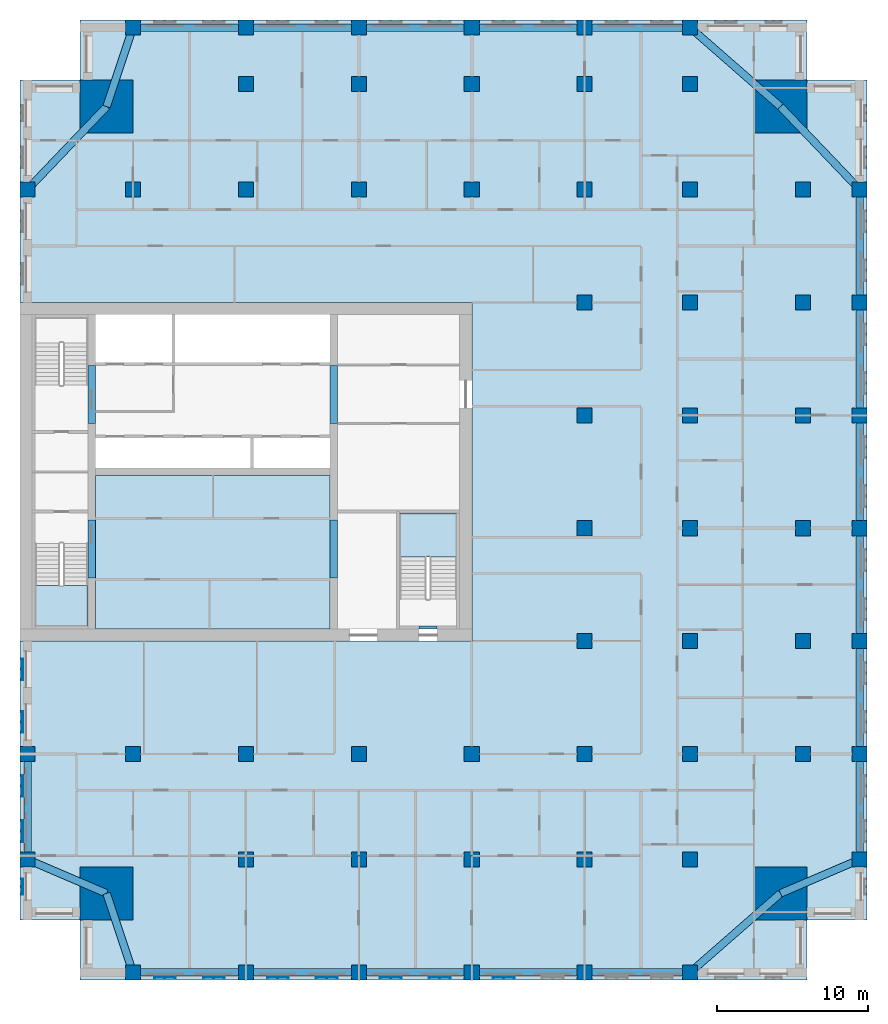
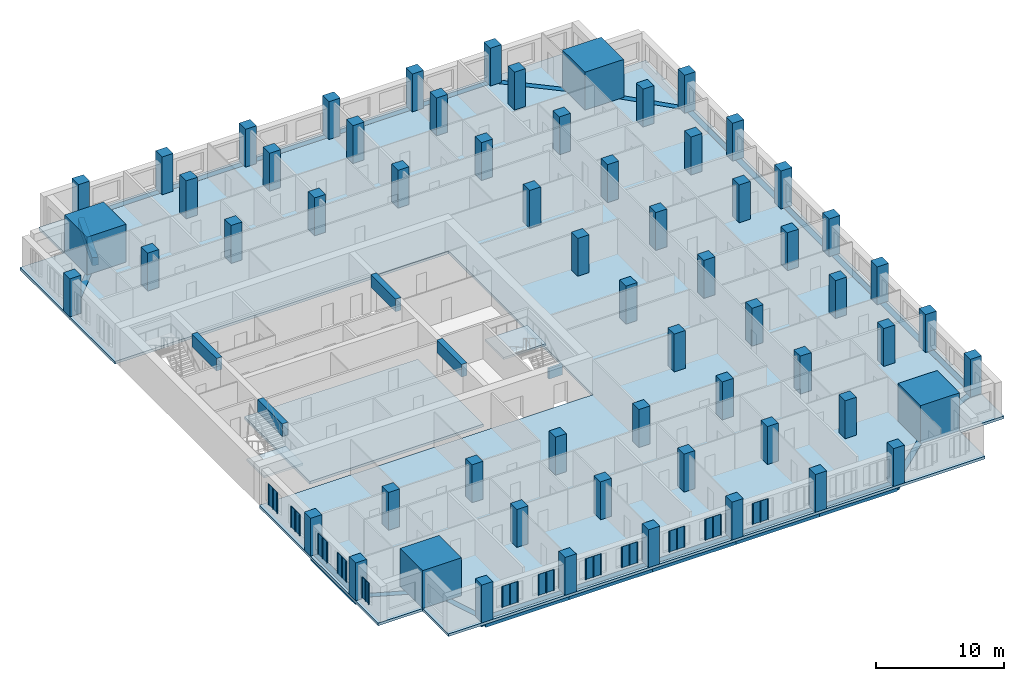
# One storey, part 1 of 13: 62 columns, 30 beams, 12 plates, 4 slabs, 2 elements without a shape of their own.
"""IFC4 building model written with IfcOpenShell, lengths in metres."""

from ifc_helpers import new_model, si_unit, direction, frame, origin, origin_2d, place, context, subcontext, project, spatial, polyline, rectangle, outline, extrude, material, layer, layer_set, material_profile, profile_set, type_object, element, aggregate, save


model = new_model("IFC4")

# Units and contexts
model_context = context("Model", 3, precision=1e-05, world=origin(), true_north=direction((0.0, 1.0)))
body_context = subcontext(model_context, "Body", "Model", "MODEL_VIEW")
ifc_project = project(units=[si_unit("LENGTHUNIT", "METRE"), si_unit("AREAUNIT", "SQUARE_METRE"), si_unit("VOLUMEUNIT", "CUBIC_METRE"), si_unit("PLANEANGLEUNIT", "RADIAN"), si_unit("MASSUNIT", "GRAM", prefix="KILO")], contexts=[model_context])

# Site, building, storey
site_placement = place(None, origin())
site = spatial("IfcSite", under=ifc_project, at=site_placement, CompositionType="ELEMENT")
building_placement = place(site_placement, origin())
building = spatial("IfcBuilding", under=site, at=building_placement, Name="Tamorin Gate", CompositionType="ELEMENT")
storey_placement = place(building_placement, frame((0.0, 0.0, 159.0)))
storey = spatial("IfcBuildingStorey", under=building, at=storey_placement, Name="L39", CompositionType="ELEMENT", Elevation=159.0)

# Columns
ifc_material_1 = material(Name="Concrete C70/85", Category="concrete")
ifc_material_profile_1 = material_profile(ifc_material_1, rectangle(XDim=1.0, YDim=1.0, at=origin_2d()), Name="RC 1000x1000")
ifc_profile_set_1 = profile_set([ifc_material_profile_1], Name="Concrete C70/85")
column_type_1 = type_object("IfcColumnType", Name="RC column 1000x1000 C70/85", PredefinedType="COLUMN", material=ifc_profile_set_1)
for number, where, z_axis, x_axis, name in (
    (1, (85.75, 45.5, 0.0), (0.0, 0.0, 1.0), (1.0, 0.0, 0.0), "Ring column L39"),
    (2, (85.75, 52.5, 0.0), (0.0, 0.0, 1.0), (1.0, 0.0, 0.0), "Ring column L39"),
    (3, (85.75, 60.0, 0.0), (0.0, 0.0, 1.0), (1.0, 0.0, 0.0), "Ring column L39"),
    (4, (85.75, 67.5, 0.0), (0.0, 0.0, 1.0), (1.0, 0.0, 0.0), "Ring column L39"),
    (5, (85.75, 75.0, 0.0), (0.0, 0.0, 1.0), (1.0, 0.0, 0.0), "Ring column L39"),
    (6, (85.75, 82.5, 0.0), (0.0, 0.0, 1.0), (1.0, 0.0, 0.0), "Ring column L39"),
    (7, (85.75, 90.0, 0.0), (0.0, 0.0, 1.0), (1.0, 0.0, 0.0), "Ring column L39"),
    (8, (37.5, 100.75, 0.0), (0.0, 0.0, 1.0), (1.0, 0.0, 0.0), "Ring column L39"),
    (9, (45.0, 100.75, 0.0), (0.0, 0.0, 1.0), (1.0, 0.0, 0.0), "Ring column L39"),
    (10, (52.5, 100.75, 0.0), (0.0, 0.0, 1.0), (1.0, 0.0, 0.0), "Ring column L39"),
    (11, (60.0, 100.75, 0.0), (0.0, 0.0, 1.0), (1.0, 0.0, 0.0), "Ring column L39"),
    (12, (67.5, 100.75, 0.0), (0.0, 0.0, 1.0), (1.0, 0.0, 0.0), "Ring column L39"),
    (13, (74.5, 100.75, 0.0), (0.0, 0.0, 1.0), (1.0, 0.0, 0.0), "Ring column L39"),
    (14, (30.5, 45.5, 0.0), (0.0, 0.0, 1.0), (1.0, 0.0, 0.0), "Ring column L39"),
    (15, (30.5, 52.5, 0.0), (0.0, 0.0, 1.0), (1.0, 0.0, 0.0), "Ring column L39"),
    (16, (30.5, 90.0, 0.0), (0.0, 0.0, 1.0), (1.0, 0.0, 0.0), "Ring column L39"),
    (17, (37.5, 38.0, 0.0), (0.0, 0.0, 1.0), (1.0, 0.0, 0.0), "Ring column L39"),
    (18, (37.5, 52.5, 0.0), (0.0, 0.0, 1.0), (1.0, 0.0, 0.0), "Interior column L39"),
    (19, (37.5, 90.0, 0.0), (0.0, 0.0, 1.0), (1.0, 0.0, 0.0), "Interior column L39"),
    (20, (45.0, 38.0, 0.0), (0.0, 0.0, 1.0), (1.0, 0.0, 0.0), "Ring column L39"),
    (21, (45.0, 45.5, 0.0), (0.0, 0.0, 1.0), (1.0, 0.0, 0.0), "Interior column L39"),
    (22, (45.0, 52.5, 0.0), (0.0, 0.0, 1.0), (1.0, 0.0, 0.0), "Interior column L39"),
    (23, (45.0, 90.0, 0.0), (0.0, 0.0, 1.0), (1.0, 0.0, 0.0), "Interior column L39"),
    (24, (45.0, 97.0, 0.0), (0.0, 0.0, 1.0), (1.0, 0.0, 0.0), "Interior column L39"),
    (25, (52.5, 38.0, 0.0), (0.0, 0.0, 1.0), (1.0, 0.0, 0.0), "Ring column L39"),
    (26, (52.5, 45.5, 0.0), (0.0, 0.0, 1.0), (1.0, 0.0, 0.0), "Interior column L39"),
    (27, (52.5, 52.5, 0.0), (0.0, 0.0, 1.0), (1.0, 0.0, 0.0), "Interior column L39"),
    (28, (52.5, 90.0, 0.0), (0.0, 0.0, 1.0), (1.0, 0.0, 0.0), "Interior column L39"),
    (29, (52.5, 97.0, 0.0), (0.0, 0.0, 1.0), (1.0, 0.0, 0.0), "Interior column L39"),
    (30, (60.0, 38.0, 0.0), (0.0, 0.0, 1.0), (1.0, 0.0, 0.0), "Ring column L39"),
    (31, (60.0, 45.5, 0.0), (0.0, 0.0, 1.0), (1.0, 0.0, 0.0), "Interior column L39"),
    (32, (60.0, 52.5, 0.0), (0.0, 0.0, 1.0), (1.0, 0.0, 0.0), "Interior column L39"),
    (33, (60.0, 90.0, 0.0), (0.0, 0.0, 1.0), (1.0, 0.0, 0.0), "Interior column L39"),
    (34, (60.0, 97.0, 0.0), (0.0, 0.0, 1.0), (1.0, 0.0, 0.0), "Interior column L39"),
    (35, (67.5, 38.0, 0.0), (0.0, 0.0, 1.0), (1.0, 0.0, 0.0), "Ring column L39"),
    (36, (67.5, 45.5, 0.0), (0.0, 0.0, 1.0), (1.0, 0.0, 0.0), "Interior column L39"),
    (37, (67.5, 52.5, 0.0), (0.0, 0.0, 1.0), (1.0, 0.0, 0.0), "Interior column L39"),
    (38, (67.5, 60.0, 0.0), (0.0, 0.0, 1.0), (1.0, 0.0, 0.0), "Interior column L39"),
    (39, (67.5, 67.5, 0.0), (0.0, 0.0, 1.0), (1.0, 0.0, 0.0), "Interior column L39"),
    (40, (67.5, 75.0, 0.0), (0.0, 0.0, 1.0), (1.0, 0.0, 0.0), "Interior column L39"),
    (41, (67.5, 82.5, 0.0), (0.0, 0.0, 1.0), (1.0, 0.0, 0.0), "Interior column L39"),
    (42, (67.5, 90.0, 0.0), (0.0, 0.0, 1.0), (1.0, 0.0, 0.0), "Interior column L39"),
    (43, (67.5, 97.0, 0.0), (0.0, 0.0, 1.0), (1.0, 0.0, 0.0), "Interior column L39"),
    (44, (74.5, 38.0, 0.0), (0.0, 0.0, 1.0), (1.0, 0.0, 0.0), "Ring column L39"),
    (45, (74.5, 45.5, 0.0), (0.0, 0.0, 1.0), (1.0, 0.0, 0.0), "Interior column L39"),
    (46, (74.5, 52.5, 0.0), (0.0, 0.0, 1.0), (1.0, 0.0, 0.0), "Interior column L39"),
    (47, (74.5, 60.0, 0.0), (0.0, 0.0, 1.0), (1.0, 0.0, 0.0), "Interior column L39"),
    (48, (74.5, 67.5, 0.0), (0.0, 0.0, 1.0), (1.0, 0.0, 0.0), "Interior column L39"),
    (49, (74.5, 75.0, 0.0), (0.0, 0.0, 1.0), (1.0, 0.0, 0.0), "Interior column L39"),
    (50, (74.5, 82.5, 0.0), (0.0, 0.0, 1.0), (1.0, 0.0, 0.0), "Interior column L39"),
    (51, (74.5, 90.0, 0.0), (0.0, 0.0, 1.0), (1.0, 0.0, 0.0), "Interior column L39"),
    (52, (74.5, 97.0, 0.0), (0.0, 0.0, 1.0), (1.0, 0.0, 0.0), "Interior column L39"),
    (53, (82.0, 52.5, 0.0), (0.0, 0.0, 1.0), (1.0, 0.0, 0.0), "Interior column L39"),
    (54, (82.0, 60.0, 0.0), (0.0, 0.0, 1.0), (1.0, 0.0, 0.0), "Interior column L39"),
    (55, (82.0, 67.5, 0.0), (0.0, 0.0, 1.0), (1.0, 0.0, 0.0), "Interior column L39"),
    (56, (82.0, 75.0, 0.0), (0.0, 0.0, 1.0), (1.0, 0.0, 0.0), "Interior column L39"),
    (57, (82.0, 82.5, 0.0), (0.0, 0.0, 1.0), (1.0, 0.0, 0.0), "Interior column L39"),
    (58, (82.0, 90.0, 0.0), (0.0, 0.0, 1.0), (1.0, 0.0, 0.0), "Interior column L39"),
):
    element("IfcColumn", number, at=place(storey_placement, frame(where, z_axis=z_axis, x_axis=x_axis)), inside=storey, type_object=column_type_1, Name=name, PredefinedType="COLUMN", context=body_context, shape_type="SweptSolid", body=[
        extrude(rectangle(XDim=1.0, YDim=1.0, at=origin_2d()), origin(), (0.0, 0.0, 1.0), 3.60009765625),
    ])
ifc_material_profile_2 = material_profile(ifc_material_1, rectangle(XDim=3.5, YDim=3.5, at=origin_2d()), Name="RC 3500x3500")
ifc_profile_set_2 = profile_set([ifc_material_profile_2], Name="Concrete C70/85")
column_type_2 = type_object("IfcColumnType", Name="RC column 3500x3500 C70/85", PredefinedType="COLUMN", material=ifc_profile_set_2)
for number, where, z_axis, x_axis, name in (
    (59, (35.75, 43.25, 0.0), (0.0, 0.0, 1.0), (1.0, 0.0, 0.0), "Mega column SW L39"),
    (60, (80.5, 43.25, 0.0), (0.0, 0.0, 1.0), (1.0, 0.0, 0.0), "Mega column SE L39"),
    (61, (35.75, 95.5, 0.0), (0.0, 0.0, 1.0), (1.0, 0.0, 0.0), "Mega column NW L39"),
    (62, (80.5, 95.5, 0.0), (0.0, 0.0, 1.0), (1.0, 0.0, 0.0), "Mega column NE L39"),
):
    element("IfcColumn", number, at=place(storey_placement, frame(where, z_axis=z_axis, x_axis=x_axis)), inside=storey, type_object=column_type_2, Name=name, PredefinedType="COLUMN", context=body_context, shape_type="SweptSolid", body=[
        extrude(rectangle(XDim=3.5, YDim=3.5, at=origin_2d()), origin(), (0.0, 0.0, 1.0), 3.60009765625),
    ])

# Beams
ifc_material_2 = material(Name="Concrete C60/75", Category="concrete")
ifc_material_profile_3 = material_profile(ifc_material_2, rectangle(XDim=0.5, YDim=1.199951171875, at=origin_2d()), Name="RC 500x1200")
ifc_profile_set_3 = profile_set([ifc_material_profile_3], Name="Concrete C60/75")
beam_type_1 = type_object("IfcBeamType", Name="RC coupling beam 500x1200 C60/75", PredefinedType="BEAM", material=ifc_profile_set_3)
for number, where, z_axis, x_axis, name in (
    (63, (34.75, 64.199951171875, 3.0), (0.0, 1.0, 0.0), (-1.0, 0.0, 0.0), "Coupling beam L39"),
    (64, (34.75, 74.449951171875, 3.0), (0.0, 1.0, 0.0), (-1.0, 0.0, 0.0), "Coupling beam L39"),
    (65, (50.85009765625, 64.199951171875, 3.0), (0.0, 1.0, 0.0), (-1.0, 0.0, 0.0), "Coupling beam L39"),
    (66, (50.85009765625, 74.449951171875, 3.0), (0.0, 1.0, 0.0), (-1.0, 0.0, 0.0), "Coupling beam L39"),
):
    element("IfcBeam", number, at=place(storey_placement, frame(where, z_axis=z_axis, x_axis=x_axis)), inside=storey, type_object=beam_type_1, Name=name, PredefinedType="BEAM", context=body_context, shape_type="SweptSolid", body=[
        extrude(rectangle(XDim=0.5, YDim=1.199951171875, at=origin_2d()), origin(), (0.0, 0.0, 1.0), 3.85009765625),
    ])
ifc_material_3 = material(Name="Concrete C50/60", Category="concrete")
ifc_material_profile_4 = material_profile(ifc_material_3, rectangle(XDim=0.5, YDim=0.75, at=origin_2d()), Name="RC 500x750")
ifc_profile_set_4 = profile_set([ifc_material_profile_4], Name="Concrete C50/60")
beam_type_2 = type_object("IfcBeamType", Name="RC spandrel 500x750 C50/60", PredefinedType="BEAM", material=ifc_profile_set_4)
for number, where, z_axis, x_axis, name in (
    (67, (37.5, 38.0, -0.375), (1.0, 0.0, 0.0), (0.0, 1.0, 0.0), "Spandrel beam L39"),
    (68, (45.0, 38.0, -0.375), (1.0, 0.0, 0.0), (0.0, 1.0, 0.0), "Spandrel beam L39"),
    (69, (52.5, 38.0, -0.375), (1.0, 0.0, 0.0), (0.0, 1.0, 0.0), "Spandrel beam L39"),
    (70, (60.0, 38.0, -0.375), (1.0, 0.0, 0.0), (0.0, 1.0, 0.0), "Spandrel beam L39"),
):
    element("IfcBeam", number, at=place(storey_placement, frame(where, z_axis=z_axis, x_axis=x_axis)), inside=storey, type_object=beam_type_2, Name=name, PredefinedType="BEAM", context=body_context, shape_type="SweptSolid", body=[
        extrude(rectangle(XDim=0.5, YDim=0.75, at=origin_2d()), origin(), (0.0, 0.0, 1.0), 7.5),
    ])
for number, where, z_axis, x_axis, name in (
    (71, (67.5, 38.0, -0.375), (1.0, 0.0, 0.0), (0.0, 1.0, 0.0), "Spandrel beam L39"),
    (72, (85.75, 45.5, -0.375), (0.0, 1.0, 0.0), (-1.0, 0.0, 0.0), "Spandrel beam L39"),
):
    element("IfcBeam", number, at=place(storey_placement, frame(where, z_axis=z_axis, x_axis=x_axis)), inside=storey, type_object=beam_type_2, Name=name, PredefinedType="BEAM", context=body_context, shape_type="SweptSolid", body=[
        extrude(rectangle(XDim=0.5, YDim=0.75, at=origin_2d()), origin(), (0.0, 0.0, 1.0), 7.0),
    ])
for number, where, z_axis, x_axis, name in (
    (73, (85.75, 52.5, -0.375), (0.0, 1.0, 0.0), (-1.0, 0.0, 0.0), "Spandrel beam L39"),
    (74, (85.75, 60.0, -0.375), (0.0, 1.0, 0.0), (-1.0, 0.0, 0.0), "Spandrel beam L39"),
    (75, (85.75, 67.5, -0.375), (0.0, 1.0, 0.0), (-1.0, 0.0, 0.0), "Spandrel beam L39"),
    (76, (85.75, 75.0, -0.375), (0.0, 1.0, 0.0), (-1.0, 0.0, 0.0), "Spandrel beam L39"),
    (77, (85.75, 82.5, -0.375), (0.0, 1.0, 0.0), (-1.0, 0.0, 0.0), "Spandrel beam L39"),
):
    element("IfcBeam", number, at=place(storey_placement, frame(where, z_axis=z_axis, x_axis=x_axis)), inside=storey, type_object=beam_type_2, Name=name, PredefinedType="BEAM", context=body_context, shape_type="SweptSolid", body=[
        extrude(rectangle(XDim=0.5, YDim=0.75, at=origin_2d()), origin(), (0.0, 0.0, 1.0), 7.5),
    ])
beam_1_placement = place(storey_placement, frame((74.5, 100.75, -0.375), z_axis=(-1.0, 0.0, 0.0), x_axis=(0.0, -1.0, 0.0)))
element("IfcBeam", 78, at=beam_1_placement, inside=storey, type_object=beam_type_2, Name="Spandrel beam L39", PredefinedType="BEAM", context=body_context, shape_type="SweptSolid", body=[
    extrude(rectangle(XDim=0.5, YDim=0.75, at=origin_2d()), origin(), (0.0, 0.0, 1.0), 7.0),
])
for number, where, z_axis, x_axis, name in (
    (79, (67.5, 100.75, -0.375), (-1.0, 0.0, 0.0), (0.0, -1.0, 0.0), "Spandrel beam L39"),
    (80, (60.0, 100.75, -0.375), (-1.0, 0.0, 0.0), (0.0, -1.0, 0.0), "Spandrel beam L39"),
    (81, (52.5, 100.75, -0.375), (-1.0, 0.0, 0.0), (0.0, -1.0, 0.0), "Spandrel beam L39"),
    (82, (45.0, 100.75, -0.375), (-1.0, 0.0, 0.0), (0.0, -1.0, 0.0), "Spandrel beam L39"),
):
    element("IfcBeam", number, at=place(storey_placement, frame(where, z_axis=z_axis, x_axis=x_axis)), inside=storey, type_object=beam_type_2, Name=name, PredefinedType="BEAM", context=body_context, shape_type="SweptSolid", body=[
        extrude(rectangle(XDim=0.5, YDim=0.75, at=origin_2d()), origin(), (0.0, 0.0, 1.0), 7.5),
    ])
beam_2_placement = place(storey_placement, frame((30.5, 52.5, -0.375), z_axis=(0.0, -1.0, 0.0), x_axis=(1.0, 0.0, 0.0)))
element("IfcBeam", 83, at=beam_2_placement, inside=storey, type_object=beam_type_2, Name="Spandrel beam L39", PredefinedType="BEAM", context=body_context, shape_type="SweptSolid", body=[
    extrude(rectangle(XDim=0.5, YDim=0.75, at=origin_2d()), origin(), (0.0, 0.0, 1.0), 7.0),
])
beam_3_placement = place(storey_placement, frame((35.75, 43.25, -0.375), z_axis=(0.316227766017, -0.948683298051, 0.0), x_axis=(0.948683298051, 0.316227766017, 0.0)))
element("IfcBeam", 84, at=beam_3_placement, inside=storey, type_object=beam_type_2, Name="Corner tie beam L39", PredefinedType="BEAM", context=body_context, shape_type="SweptSolid", body=[
    extrude(rectangle(XDim=0.5, YDim=0.75, at=origin_2d()), origin(), (0.0, 0.0, 1.0), 5.533935546875),
])
for number, where, z_axis, x_axis, name in (
    (85, (35.75, 43.25, -0.375), (-0.919145030018, 0.393919298579, 0.0), (-0.393919298579, -0.919145030018, 0.0), "Corner tie beam L39"),
    (86, (80.5, 43.25, -0.375), (0.919145030018, 0.393919298579, 0.0), (-0.393919298579, 0.919145030018, 0.0), "Corner tie beam L39"),
):
    element("IfcBeam", number, at=place(storey_placement, frame(where, z_axis=z_axis, x_axis=x_axis)), inside=storey, type_object=beam_type_2, Name=name, PredefinedType="BEAM", context=body_context, shape_type="SweptSolid", body=[
        extrude(rectangle(XDim=0.5, YDim=0.75, at=origin_2d()), origin(), (0.0, 0.0, 1.0), 5.7119140625),
    ])
beam_4_placement = place(storey_placement, frame((80.5, 43.25, -0.375), z_axis=(-0.752576694707, -0.658504607869, 0.0), x_axis=(0.658504607869, -0.752576694707, 0.0)))
element("IfcBeam", 87, at=beam_4_placement, inside=storey, type_object=beam_type_2, Name="Corner tie beam L39", PredefinedType="BEAM", context=body_context, shape_type="SweptSolid", body=[
    extrude(rectangle(XDim=0.5, YDim=0.75, at=origin_2d()), origin(), (0.0, 0.0, 1.0), 7.97265625),
])
beam_5_placement = place(storey_placement, frame((35.75, 95.5, -0.375), z_axis=(0.316227766017, 0.948683298051, 0.0), x_axis=(-0.948683298051, 0.316227766017, 0.0)))
element("IfcBeam", 88, at=beam_5_placement, inside=storey, type_object=beam_type_2, Name="Corner tie beam L39", PredefinedType="BEAM", context=body_context, shape_type="SweptSolid", body=[
    extrude(rectangle(XDim=0.5, YDim=0.75, at=origin_2d()), origin(), (0.0, 0.0, 1.0), 5.533935546875),
])
for number, where, z_axis, x_axis, name in (
    (89, (35.75, 95.5, -0.375), (-0.690475746683, -0.723355544144, 0.0), (0.723355544144, -0.690475746683, 0.0), "Corner tie beam L39"),
    (90, (80.5, 95.5, -0.375), (0.690475746683, -0.723355544144, 0.0), (0.723355544144, 0.690475746683, 0.0), "Corner tie beam L39"),
):
    element("IfcBeam", number, at=place(storey_placement, frame(where, z_axis=z_axis, x_axis=x_axis)), inside=storey, type_object=beam_type_2, Name=name, PredefinedType="BEAM", context=body_context, shape_type="SweptSolid", body=[
        extrude(rectangle(XDim=0.5, YDim=0.75, at=origin_2d()), origin(), (0.0, 0.0, 1.0), 7.603515625),
    ])
beam_6_placement = place(storey_placement, frame((80.5, 95.5, -0.375), z_axis=(-0.752576694707, 0.658504607869, 0.0), x_axis=(-0.658504607869, -0.752576694707, 0.0)))
element("IfcBeam", 91, at=beam_6_placement, inside=storey, type_object=beam_type_2, Name="Corner tie beam L39", PredefinedType="BEAM", context=body_context, shape_type="SweptSolid", body=[
    extrude(rectangle(XDim=0.5, YDim=0.75, at=origin_2d()), origin(), (0.0, 0.0, 1.0), 7.97265625),
])
ifc_material_profile_5 = material_profile(ifc_material_2, rectangle(XDim=0.199951171875, YDim=1.0, at=origin_2d()))
ifc_profile_set_5 = profile_set([ifc_material_profile_5], Name="Concrete C60/75")
beam_type_3 = type_object("IfcBeamType", Name="Stair lintel 200x1000 C60/75", PredefinedType="BEAM", material=ifc_profile_set_5)
beam_7_placement = place(storey_placement, frame((56.5, 60.89990234375, 2.699951171875), z_axis=(1.0, 0.0, 0.0), x_axis=(0.0, 1.0, 0.0)))
element("IfcBeam", 92, at=beam_7_placement, inside=storey, type_object=beam_type_3, Name="Stair lintel", PredefinedType="BEAM", context=body_context, shape_type="SweptSolid", body=[
    extrude(rectangle(XDim=0.199951171875, YDim=1.0, at=origin_2d()), origin(), (0.0, 0.0, 1.0), 1.199951171875),
])

# Slab
ifc_material_4 = material(Name="Concrete C40/50", Category="concrete")
ifc_layer_1 = layer(ifc_material_4, 0.25)
ifc_layer_set_1 = layer_set([ifc_layer_1], Name="Core floor slab 250 C40/50")
slab_type_1 = type_object("IfcSlabType", Name="Core floor slab 250 C40/50", PredefinedType="FLOOR", material=ifc_layer_set_1)
slab_1_placement = place(storey_placement, frame((0.0, 0.0, -0.25)))
element("IfcSlab", 93, at=slab_1_placement, inside=storey, type_object=slab_type_1, Name="Core floor L39", PredefinedType="FLOOR", context=body_context, shape_type="SweptSolid", body=[
    extrude(outline(polyline([(50.60009765625, 71.0), (50.60009765625, 60.800048828125), (35.0, 60.800048828125), (35.0, 71.0), (50.60009765625, 71.0)])), origin(), (0.0, 0.0, 1.0), 0.25),
])

# Stair, slab
stair_type = type_object("IfcStairType", Name="Exit stair", PredefinedType="HALF_TURN_STAIR", material=ifc_material_4)
stair_1_placement = place(storey_placement, origin())
stair_1 = element("IfcStair", 94, at=stair_1_placement, inside=storey, type_object=stair_type, Name="L39 stair ST1", PredefinedType="HALF_TURN_STAIR")
ifc_layer_2 = layer(ifc_material_4, 0.199951171875)
ifc_layer_set_2 = layer_set([ifc_layer_2], Name="Exit stair landing 200")
slab_type_2 = type_object("IfcSlabType", Name="Exit stair landing 200", PredefinedType="LANDING", material=ifc_layer_set_2)
slab_2_placement = place(storey_placement, frame((0.0, 0.0, 1.60009765625)))
slab_2 = element("IfcSlab", 95, at=slab_2_placement, type_object=slab_type_2, Name="ST1 landing 1", PredefinedType="LANDING", context=body_context, shape_type="SweptSolid", body=[
    extrude(outline(polyline([(31.0, 63.699951171875), (31.0, 61.0), (34.5, 61.0), (34.5, 63.699951171875), (31.0, 63.699951171875)])), origin(), (0.0, 0.0, 1.0), 0.199951171875),
])
aggregate(stair_1, [slab_2])

stair_2_placement = place(storey_placement, origin())
stair_2 = element("IfcStair", 96, at=stair_2_placement, inside=storey, type_object=stair_type, Name="L39 stair ST3", PredefinedType="HALF_TURN_STAIR")
slab_3_placement = place(storey_placement, frame((0.0, 0.0, 1.60009765625)))
slab_3 = element("IfcSlab", 97, at=slab_3_placement, type_object=slab_type_2, Name="ST3 landing 1", PredefinedType="LANDING", context=body_context, shape_type="SweptSolid", body=[
    extrude(outline(polyline([(59.0, 65.60009765625), (59.0, 68.5), (55.199951171875, 68.5), (55.199951171875, 65.60009765625), (59.0, 65.60009765625)])), origin(), (0.0, 0.0, 1.0), 0.199951171875),
])
aggregate(stair_2, [slab_3])

# Slab
ifc_layer_3 = layer(ifc_material_4, 0.25)
ifc_layer_set_3 = layer_set([ifc_layer_3], Name="Floor slab 250 C40/50")
slab_type_3 = type_object("IfcSlabType", Name="Floor slab 250 C40/50", PredefinedType="FLOOR", material=ifc_layer_set_3)
slab_4_placement = place(storey_placement, frame((0.0, 0.0, -0.25)))
element("IfcSlab", 98, at=slab_4_placement, inside=storey, type_object=slab_type_3, Name="Floor L39", PredefinedType="FLOOR", context=body_context, shape_type="SweptSolid", body=[
    extrude(outline(polyline([(30.0, 97.25), (34.0, 97.25), (34.0, 101.25), (82.25, 101.25), (82.25, 97.25), (86.25, 97.25), (86.25, 41.5), (82.25, 41.5), (82.25, 37.5), (34.0, 37.5), (34.0, 41.5), (30.0, 41.5), (30.0, 60.0), (60.0, 60.0), (60.0, 82.5), (30.0, 82.5), (30.0, 97.25)])), origin(), (0.0, 0.0, 1.0), 0.25),
])

# Plates
ifc_material_5 = material(Name="Perforated pale aluminium sheet", Category="aluminium")
ifc_layer_4 = layer(ifc_material_5, 0.0400390625)
ifc_layer_set_4 = layer_set([ifc_layer_4], Name="Pale metal solar screen 1080")
plate_type_1 = type_object("IfcPlateType", Name="Pale metal solar screen 1080", PredefinedType="SHEET", material=ifc_layer_set_4)
plate_1_placement = place(storey_placement, frame((0.0, 0.0, 0.7099609375)))
element("IfcPlate", 99, at=plate_1_placement, inside=storey, type_object=plate_type_1, Name="Perforated solar screen", PredefinedType="SHEET", context=body_context, shape_type="SweptSolid", body=[
    extrude(outline(polyline([(30.159912109375, 44.239990234375), (30.199951171875, 44.239990234375), (30.199951171875, 44.179931640625), (30.199951171875, 43.72998046875), (30.199951171875, 43.669921875), (30.199951171875, 43.219970703125), (30.199951171875, 43.159912109375), (30.159912109375, 43.159912109375), (30.10009765625, 43.159912109375), (30.10009765625, 43.219970703125), (30.159912109375, 43.219970703125), (30.159912109375, 43.669921875), (30.10009765625, 43.669921875), (30.10009765625, 43.72998046875), (30.159912109375, 43.72998046875), (30.159912109375, 44.179931640625), (30.10009765625, 44.179931640625), (30.10009765625, 44.239990234375), (30.159912109375, 44.239990234375)])), origin(), (0.0, 0.0, 1.0), 1.97998046875),
])
ifc_layer_5 = layer(ifc_material_5, 0.0400390625)
ifc_layer_set_5 = layer_set([ifc_layer_5], Name="Pale metal solar screen 1440")
plate_type_2 = type_object("IfcPlateType", Name="Pale metal solar screen 1440", PredefinedType="SHEET", material=ifc_layer_set_5)
plate_2_placement = place(storey_placement, frame((0.0, 0.0, 0.7099609375)))
element("IfcPlate", 100, at=plate_2_placement, inside=storey, type_object=plate_type_2, Name="Perforated solar screen", PredefinedType="SHEET", context=body_context, shape_type="SweptSolid", body=[
    extrude(outline(polyline([(38.905029296875, 37.659912109375), (38.905029296875, 37.699951171875), (38.965087890625, 37.699951171875), (39.594970703125, 37.699951171875), (39.655029296875, 37.699951171875), (40.284912109375, 37.699951171875), (40.344970703125, 37.699951171875), (40.344970703125, 37.699951171875), (40.344970703125, 37.659912109375), (40.344970703125, 37.659912109375), (40.344970703125, 37.60009765625), (40.284912109375, 37.60009765625), (40.284912109375, 37.659912109375), (39.655029296875, 37.659912109375), (39.655029296875, 37.60009765625), (39.594970703125, 37.60009765625), (39.594970703125, 37.659912109375), (38.965087890625, 37.659912109375), (38.965087890625, 37.60009765625), (38.905029296875, 37.60009765625), (38.905029296875, 37.659912109375)])), origin(), (0.0, 0.0, 1.0), 1.97998046875),
])
plate_3_placement = place(storey_placement, frame((0.0, 0.0, 0.7099609375)))
element("IfcPlate", 101, at=plate_3_placement, inside=storey, type_object=plate_type_2, Name="Perforated solar screen", PredefinedType="SHEET", context=body_context, shape_type="SweptSolid", body=[
    extrude(outline(polyline([(42.155029296875, 37.659912109375), (42.155029296875, 37.699951171875), (42.215087890625, 37.699951171875), (42.844970703125, 37.699951171875), (42.905029296875, 37.699951171875), (43.534912109375, 37.699951171875), (43.594970703125, 37.699951171875), (43.594970703125, 37.659912109375), (43.594970703125, 37.60009765625), (43.534912109375, 37.60009765625), (43.534912109375, 37.659912109375), (42.905029296875, 37.659912109375), (42.905029296875, 37.60009765625), (42.844970703125, 37.60009765625), (42.844970703125, 37.659912109375), (42.215087890625, 37.659912109375), (42.215087890625, 37.60009765625), (42.155029296875, 37.60009765625), (42.155029296875, 37.659912109375)])), origin(), (0.0, 0.0, 1.0), 1.97998046875),
])
plate_4_placement = place(storey_placement, frame((0.0, 0.0, 0.7099609375)))
element("IfcPlate", 102, at=plate_4_placement, inside=storey, type_object=plate_type_2, Name="Perforated solar screen", PredefinedType="SHEET", context=body_context, shape_type="SweptSolid", body=[
    extrude(outline(polyline([(46.405029296875, 37.659912109375), (46.405029296875, 37.699951171875), (46.465087890625, 37.699951171875), (47.094970703125, 37.699951171875), (47.155029296875, 37.699951171875), (47.784912109375, 37.699951171875), (47.844970703125, 37.699951171875), (47.844970703125, 37.659912109375), (47.844970703125, 37.60009765625), (47.784912109375, 37.60009765625), (47.784912109375, 37.659912109375), (47.155029296875, 37.659912109375), (47.155029296875, 37.60009765625), (47.094970703125, 37.60009765625), (47.094970703125, 37.659912109375), (46.465087890625, 37.659912109375), (46.465087890625, 37.60009765625), (46.405029296875, 37.60009765625), (46.405029296875, 37.659912109375)])), origin(), (0.0, 0.0, 1.0), 1.97998046875),
])
plate_5_placement = place(storey_placement, frame((0.0, 0.0, 0.7099609375)))
element("IfcPlate", 103, at=plate_5_placement, inside=storey, type_object=plate_type_2, Name="Perforated solar screen", PredefinedType="SHEET", context=body_context, shape_type="SweptSolid", body=[
    extrude(outline(polyline([(49.655029296875, 37.659912109375), (49.655029296875, 37.699951171875), (49.715087890625, 37.699951171875), (50.344970703125, 37.699951171875), (50.405029296875, 37.699951171875), (51.034912109375, 37.699951171875), (51.094970703125, 37.699951171875), (51.094970703125, 37.659912109375), (51.094970703125, 37.60009765625), (51.034912109375, 37.60009765625), (51.034912109375, 37.659912109375), (50.405029296875, 37.659912109375), (50.405029296875, 37.60009765625), (50.344970703125, 37.60009765625), (50.344970703125, 37.659912109375), (49.715087890625, 37.659912109375), (49.715087890625, 37.60009765625), (49.655029296875, 37.60009765625), (49.655029296875, 37.659912109375)])), origin(), (0.0, 0.0, 1.0), 1.97998046875),
])
plate_6_placement = place(storey_placement, frame((0.0, 0.0, 0.7099609375)))
element("IfcPlate", 104, at=plate_6_placement, inside=storey, type_object=plate_type_2, Name="Perforated solar screen", PredefinedType="SHEET", context=body_context, shape_type="SweptSolid", body=[
    extrude(outline(polyline([(53.905029296875, 37.659912109375), (53.905029296875, 37.699951171875), (53.965087890625, 37.699951171875), (54.594970703125, 37.699951171875), (54.655029296875, 37.699951171875), (55.284912109375, 37.699951171875), (55.344970703125, 37.699951171875), (55.344970703125, 37.659912109375), (55.344970703125, 37.60009765625), (55.284912109375, 37.60009765625), (55.284912109375, 37.659912109375), (54.655029296875, 37.659912109375), (54.655029296875, 37.60009765625), (54.594970703125, 37.60009765625), (54.594970703125, 37.659912109375), (53.965087890625, 37.659912109375), (53.965087890625, 37.60009765625), (53.905029296875, 37.60009765625), (53.905029296875, 37.659912109375)])), origin(), (0.0, 0.0, 1.0), 1.97998046875),
])
plate_7_placement = place(storey_placement, frame((0.0, 0.0, 0.7099609375)))
element("IfcPlate", 105, at=plate_7_placement, inside=storey, type_object=plate_type_2, Name="Perforated solar screen", PredefinedType="SHEET", context=body_context, shape_type="SweptSolid", body=[
    extrude(outline(polyline([(57.155029296875, 37.659912109375), (57.155029296875, 37.699951171875), (57.215087890625, 37.699951171875), (57.844970703125, 37.699951171875), (57.905029296875, 37.699951171875), (58.534912109375, 37.699951171875), (58.594970703125, 37.699951171875), (58.594970703125, 37.659912109375), (58.594970703125, 37.60009765625), (58.534912109375, 37.60009765625), (58.534912109375, 37.659912109375), (57.905029296875, 37.659912109375), (57.905029296875, 37.60009765625), (57.844970703125, 37.60009765625), (57.844970703125, 37.659912109375), (57.215087890625, 37.659912109375), (57.215087890625, 37.60009765625), (57.155029296875, 37.60009765625), (57.155029296875, 37.659912109375)])), origin(), (0.0, 0.0, 1.0), 1.97998046875),
])
plate_8_placement = place(storey_placement, frame((0.0, 0.0, 0.7099609375)))
element("IfcPlate", 106, at=plate_8_placement, inside=storey, type_object=plate_type_2, Name="Perforated solar screen", PredefinedType="SHEET", context=body_context, shape_type="SweptSolid", body=[
    extrude(outline(polyline([(61.405029296875, 37.659912109375), (61.405029296875, 37.699951171875), (61.465087890625, 37.699951171875), (62.094970703125, 37.699951171875), (62.155029296875, 37.699951171875), (62.784912109375, 37.699951171875), (62.844970703125, 37.699951171875), (62.844970703125, 37.659912109375), (62.844970703125, 37.60009765625), (62.784912109375, 37.60009765625), (62.784912109375, 37.659912109375), (62.155029296875, 37.659912109375), (62.155029296875, 37.60009765625), (62.094970703125, 37.60009765625), (62.094970703125, 37.659912109375), (61.465087890625, 37.659912109375), (61.465087890625, 37.60009765625), (61.405029296875, 37.60009765625), (61.405029296875, 37.659912109375)])), origin(), (0.0, 0.0, 1.0), 1.97998046875),
])
plate_9_placement = place(storey_placement, frame((0.0, 0.0, 0.7099609375)))
element("IfcPlate", 107, at=plate_9_placement, inside=storey, type_object=plate_type_2, Name="Perforated solar screen", PredefinedType="SHEET", context=body_context, shape_type="SweptSolid", body=[
    extrude(outline(polyline([(30.159912109375, 55.344970703125), (30.199951171875, 55.344970703125), (30.199951171875, 55.284912109375), (30.199951171875, 54.655029296875), (30.199951171875, 54.594970703125), (30.199951171875, 53.965087890625), (30.199951171875, 53.905029296875), (30.159912109375, 53.905029296875), (30.10009765625, 53.905029296875), (30.10009765625, 53.965087890625), (30.159912109375, 53.965087890625), (30.159912109375, 54.594970703125), (30.10009765625, 54.594970703125), (30.10009765625, 54.655029296875), (30.159912109375, 54.655029296875), (30.159912109375, 55.284912109375), (30.10009765625, 55.284912109375), (30.10009765625, 55.344970703125), (30.159912109375, 55.344970703125)])), origin(), (0.0, 0.0, 1.0), 1.97998046875),
])
plate_10_placement = place(storey_placement, frame((0.0, 0.0, 0.7099609375)))
element("IfcPlate", 108, at=plate_10_placement, inside=storey, type_object=plate_type_2, Name="Perforated solar screen", PredefinedType="SHEET", context=body_context, shape_type="SweptSolid", body=[
    extrude(outline(polyline([(30.159912109375, 58.844970703125), (30.199951171875, 58.844970703125), (30.199951171875, 58.784912109375), (30.199951171875, 58.155029296875), (30.199951171875, 58.094970703125), (30.199951171875, 57.465087890625), (30.199951171875, 57.405029296875), (30.159912109375, 57.405029296875), (30.10009765625, 57.405029296875), (30.10009765625, 57.465087890625), (30.159912109375, 57.465087890625), (30.159912109375, 58.094970703125), (30.10009765625, 58.094970703125), (30.10009765625, 58.155029296875), (30.159912109375, 58.155029296875), (30.159912109375, 58.784912109375), (30.10009765625, 58.784912109375), (30.10009765625, 58.844970703125), (30.159912109375, 58.844970703125)])), origin(), (0.0, 0.0, 1.0), 1.97998046875),
])
plate_11_placement = place(storey_placement, frame((0.0, 0.0, 0.7099609375)))
element("IfcPlate", 109, at=plate_11_placement, inside=storey, type_object=plate_type_2, Name="Perforated solar screen", PredefinedType="SHEET", context=body_context, shape_type="SweptSolid", body=[
    extrude(outline(polyline([(30.159912109375, 48.094970703125), (30.199951171875, 48.094970703125), (30.199951171875, 48.034912109375), (30.199951171875, 47.405029296875), (30.199951171875, 47.344970703125), (30.199951171875, 46.715087890625), (30.199951171875, 46.655029296875), (30.159912109375, 46.655029296875), (30.10009765625, 46.655029296875), (30.10009765625, 46.715087890625), (30.159912109375, 46.715087890625), (30.159912109375, 47.344970703125), (30.10009765625, 47.344970703125), (30.10009765625, 47.405029296875), (30.159912109375, 47.405029296875), (30.159912109375, 48.034912109375), (30.10009765625, 48.034912109375), (30.10009765625, 48.094970703125), (30.159912109375, 48.094970703125)])), origin(), (0.0, 0.0, 1.0), 1.97998046875),
])
plate_12_placement = place(storey_placement, frame((0.0, 0.0, 0.7099609375)))
element("IfcPlate", 110, at=plate_12_placement, inside=storey, type_object=plate_type_2, Name="Perforated solar screen", PredefinedType="SHEET", context=body_context, shape_type="SweptSolid", body=[
    extrude(outline(polyline([(30.159912109375, 51.094970703125), (30.199951171875, 51.094970703125), (30.199951171875, 51.034912109375), (30.199951171875, 50.405029296875), (30.199951171875, 50.344970703125), (30.199951171875, 49.715087890625), (30.199951171875, 49.655029296875), (30.159912109375, 49.655029296875), (30.10009765625, 49.655029296875), (30.10009765625, 49.715087890625), (30.159912109375, 49.715087890625), (30.159912109375, 50.344970703125), (30.10009765625, 50.344970703125), (30.10009765625, 50.405029296875), (30.159912109375, 50.405029296875), (30.159912109375, 51.034912109375), (30.10009765625, 51.034912109375), (30.10009765625, 51.094970703125), (30.159912109375, 51.094970703125)])), origin(), (0.0, 0.0, 1.0), 1.97998046875),
])

save(model, "model.ifc")
